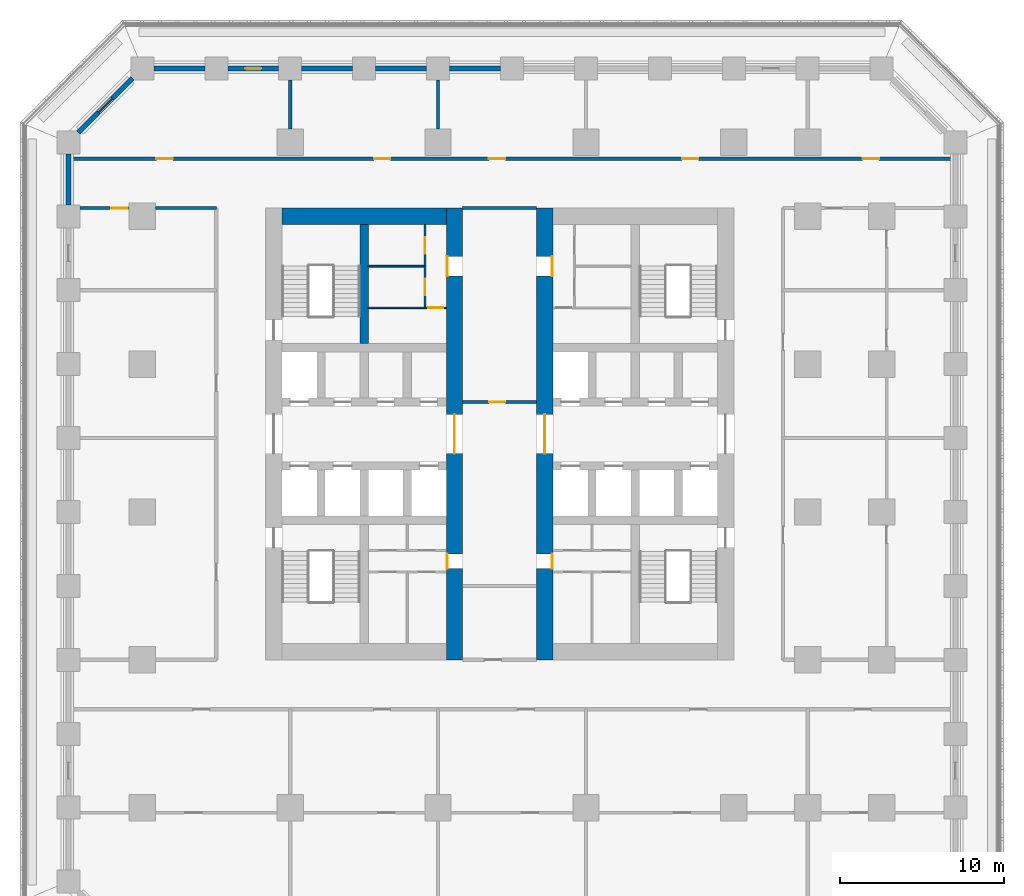
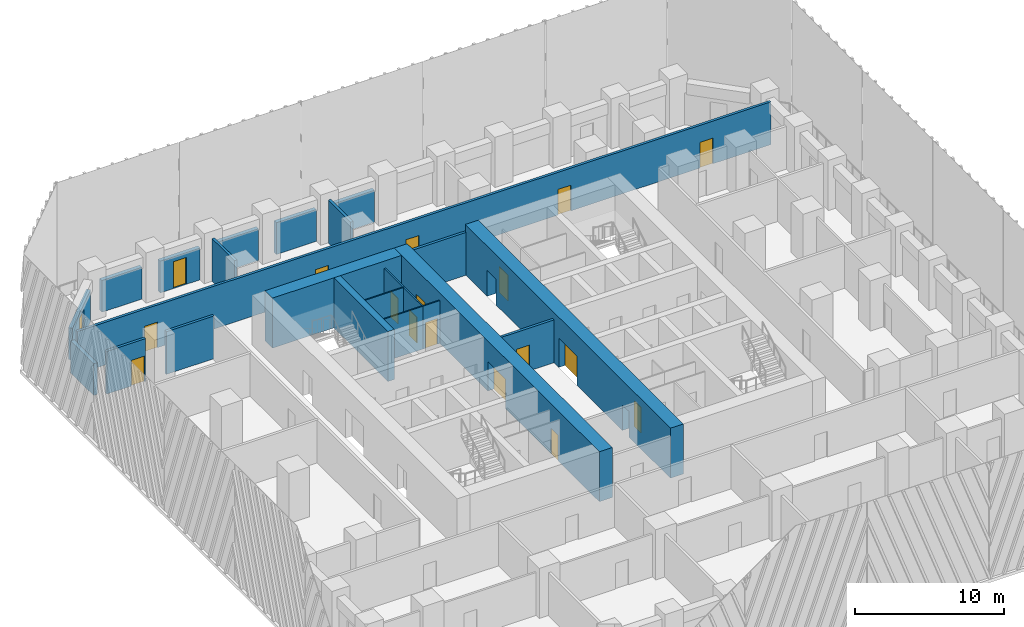
# One storey, part 5 of 13: 23 walls, 18 doors, 18 openings.
"""IFC4 building model written with IfcOpenShell, lengths in metres."""

from ifc_helpers import new_model, si_unit, direction, frame, frame_2d, origin, place, context, subcontext, project, spatial, rectangle, extrude, material, layer, layer_set, type_object, element, fill, save


model = new_model("IFC4")

# Units and contexts
model_context = context("Model", 3, precision=1e-05, world=origin(), true_north=direction((0.0, 1.0)))
body_context = subcontext(model_context, "Body", "Model", "MODEL_VIEW")
ifc_project = project(units=[si_unit("LENGTHUNIT", "METRE"), si_unit("AREAUNIT", "SQUARE_METRE"), si_unit("VOLUMEUNIT", "CUBIC_METRE"), si_unit("PLANEANGLEUNIT", "RADIAN"), si_unit("MASSUNIT", "GRAM", prefix="KILO")], contexts=[model_context])

# Site, building, storey
site_placement = place(None, origin())
site = spatial("IfcSite", under=ifc_project, at=site_placement, CompositionType="ELEMENT")
building_placement = place(site_placement, origin())
building = spatial("IfcBuilding", under=site, at=building_placement, Name="Corbel Stack Research Tower", CompositionType="ELEMENT")
storey_placement = place(building_placement, frame((0.0, 0.0, 66.5)))
storey = spatial("IfcBuildingStorey", under=building, at=storey_placement, Name="L15", CompositionType="ELEMENT", Elevation=66.5)

# Wall, openings, doors
ifc_material_1 = material(Name="Concrete C70/85", Category="concrete")
ifc_layer_1 = layer(ifc_material_1, 1.0)
ifc_layer_set_1 = layer_set([ifc_layer_1], Name="Concrete C70/85")
wall_type_1 = type_object("IfcWallType", Name="CW-1000-70", PredefinedType="SHEAR", material=ifc_layer_set_1)
wall_1_placement = place(storey_placement, frame((1.0, -9.0, 0.0), z_axis=(0.0, 0.0, 1.0), x_axis=(0.0, 1.0, 0.0)))
wall_1 = element("IfcWall", 1, at=wall_1_placement, inside=storey, type_object=wall_type_1, Name="West core wall, east face L15", PredefinedType="SHEAR", context=body_context, shape_type="SweptSolid", body=[
    extrude(rectangle(XDim=27.5, YDim=1.0, at=frame_2d((13.75, 0.0))), origin(), (0.0, 0.0, 1.0), 4.10009765625),
])
opening_1_placement = place(wall_1_placement, frame((12.550048828125, 0.0, 0.0)))
opening_1 = element("IfcOpeningElement", 2, at=opening_1_placement, cuts=wall_1, Name="Opening CD-W-E", PredefinedType="OPENING", context=body_context, shape_type="SweptSolid", body=[
    extrude(rectangle(XDim=2.39990234375, YDim=2.39990234375, at=frame_2d((1.199951171875, 1.199951171875))), frame((0.0, 0.510009765625, 0.0), z_axis=(0.0, -1.0, 0.0), x_axis=(1.0, 0.0, 0.0)), (0.0, 0.0, 1.0), 1.02001953125),
])
opening_2_placement = place(wall_1_placement, frame((5.550048828125, 0.0, 0.0)))
opening_2 = element("IfcOpeningElement", 3, at=opening_2_placement, cuts=wall_1, Name="Opening CR-W54-W1-905", PredefinedType="OPENING", context=body_context, shape_type="SweptSolid", body=[
    extrude(rectangle(XDim=0.905029296875, YDim=2.10009765625, at=frame_2d((0.45263671875, 1.050048828125))), frame((0.0, 0.510009765625, 0.0), z_axis=(0.0, -1.0, 0.0), x_axis=(1.0, 0.0, 0.0)), (0.0, 0.0, 1.0), 1.02001953125),
])
opening_3_placement = place(wall_1_placement, frame((23.362548828125, 0.0, 0.0)))
opening_3 = element("IfcOpeningElement", 4, at=opening_3_placement, cuts=wall_1, Name="Opening CR-W54-R2-1200", PredefinedType="OPENING", context=body_context, shape_type="SweptSolid", body=[
    extrude(rectangle(XDim=1.199951171875, YDim=2.10009765625, at=frame_2d((0.60009765625, 1.050048828125))), frame((0.0, 0.510009765625, 0.0), z_axis=(0.0, -1.0, 0.0), x_axis=(1.0, 0.0, 0.0)), (0.0, 0.0, 1.0), 1.02001953125),
])
ifc_material_2 = material(Name="Painted steel fire door", Category="steel")
door_type_1 = type_object("IfcDoorType", Name="Lobby door pair 2400 x 2400 FD30S", OperationType="DOUBLE_DOOR_DOUBLE_SWING", PredefinedType="DOOR", material=ifc_material_2)
door_1_placement = place(opening_1_placement, origin())
door_1 = element("IfcDoor", 5, at=door_1_placement, inside=storey, type_object=door_type_1, Name="Lift lobby door W core E", OperationType="DOUBLE_DOOR_DOUBLE_SWING", OverallHeight=2.39990234375, OverallWidth=2.39990234375, PredefinedType="DOOR", context=body_context, shape_type="SweptSolid", body=[
    extrude(rectangle(XDim=2.39990234375, YDim=2.39990234375, at=frame_2d((1.199951171875, 1.199951171875))), frame((0.0, 0.02490234375, 0.0), z_axis=(0.0, -1.0, 0.0), x_axis=(1.0, 0.0, 0.0)), (0.0, 0.0, 1.0), 0.050048828125),
])
fill(opening_1, door_1)
ifc_material_3 = material(Name="Painted steel door", Category="steel")
door_type_2 = type_object("IfcDoorType", Name="Service door 1200 x 2100 FD30 right hand", OperationType="SINGLE_SWING_RIGHT", PredefinedType="DOOR", material=ifc_material_3)
door_2_placement = place(opening_3_placement, origin())
door_2 = element("IfcDoor", 6, at=door_2_placement, inside=storey, type_object=door_type_2, Name="Service passage door W core", OperationType="SINGLE_SWING_RIGHT", OverallHeight=2.10009765625, OverallWidth=1.199951171875, PredefinedType="DOOR", context=body_context, shape_type="SweptSolid", body=[
    extrude(rectangle(XDim=1.199951171875, YDim=2.10009765625, at=frame_2d((0.60009765625, 1.050048828125))), frame((0.0, 0.47509765625, 0.0), z_axis=(0.0, -1.0, 0.0), x_axis=(1.0, 0.0, 0.0)), (0.0, 0.0, 1.0), 0.050048828125),
])
fill(opening_3, door_2)
ifc_material_4 = material(Name="Painted timber door", Category="wood")
door_type_3 = type_object("IfcDoorType", Name="WC door 905 x 2100 left hand", OperationType="SINGLE_SWING_LEFT", PredefinedType="DOOR", material=ifc_material_4)
door_3_placement = place(opening_2_placement, origin())
door_3 = element("IfcDoor", 7, at=door_3_placement, inside=storey, type_object=door_type_3, Name="WC lobby door W core", OperationType="SINGLE_SWING_LEFT", OverallHeight=2.10009765625, OverallWidth=0.905029296875, PredefinedType="DOOR", context=body_context, shape_type="SweptSolid", body=[
    extrude(rectangle(XDim=0.905029296875, YDim=2.10009765625, at=frame_2d((0.45263671875, 1.050048828125))), frame((0.0, 0.47509765625, 0.0), z_axis=(0.0, -1.0, 0.0), x_axis=(1.0, 0.0, 0.0)), (0.0, 0.0, 1.0), 0.050048828125),
])
fill(opening_2, door_3)

# Wall
wall_2_placement = place(storey_placement, frame((-9.5, 18.0, 0.0), z_axis=(0.0, 0.0, 1.0), x_axis=(1.0, 0.0, 0.0)))
element("IfcWall", 8, at=wall_2_placement, inside=storey, type_object=wall_type_1, Name="West core wall, north end L15", PredefinedType="SHEAR", context=body_context, shape_type="SweptSolid", body=[
    extrude(rectangle(XDim=10.0, YDim=1.0, at=frame_2d((5.0, 0.0))), origin(), (0.0, 0.0, 1.0), 4.10009765625),
])

# Wall, openings, doors
wall_3_placement = place(storey_placement, frame((6.5, -9.0, 0.0), z_axis=(0.0, 0.0, 1.0), x_axis=(0.0, 1.0, 0.0)))
wall_3 = element("IfcWall", 9, at=wall_3_placement, inside=storey, type_object=wall_type_1, Name="East core wall, west face L15", PredefinedType="SHEAR", context=body_context, shape_type="SweptSolid", body=[
    extrude(rectangle(XDim=27.5, YDim=1.0, at=frame_2d((13.75, 0.0))), origin(), (0.0, 0.0, 1.0), 4.10009765625),
])
opening_4_placement = place(wall_3_placement, frame((12.550048828125, 0.0, 0.0)))
opening_4 = element("IfcOpeningElement", 10, at=opening_4_placement, cuts=wall_3, Name="Opening CD-E-W", PredefinedType="OPENING", context=body_context, shape_type="SweptSolid", body=[
    extrude(rectangle(XDim=2.39990234375, YDim=2.39990234375, at=frame_2d((1.199951171875, 1.199951171875))), frame((0.0, 0.510009765625, 0.0), z_axis=(0.0, -1.0, 0.0), x_axis=(1.0, 0.0, 0.0)), (0.0, 0.0, 1.0), 1.02001953125),
])
opening_5_placement = place(wall_3_placement, frame((5.550048828125, 0.0, 0.0)))
opening_5 = element("IfcOpeningElement", 11, at=opening_5_placement, cuts=wall_3, Name="Opening CR-E54-W1-905", PredefinedType="OPENING", context=body_context, shape_type="SweptSolid", body=[
    extrude(rectangle(XDim=0.905029296875, YDim=2.10009765625, at=frame_2d((0.45263671875, 1.050048828125))), frame((0.0, 0.510009765625, 0.0), z_axis=(0.0, -1.0, 0.0), x_axis=(1.0, 0.0, 0.0)), (0.0, 0.0, 1.0), 1.02001953125),
])
opening_6_placement = place(wall_3_placement, frame((23.362548828125, 0.0, 0.0)))
opening_6 = element("IfcOpeningElement", 12, at=opening_6_placement, cuts=wall_3, Name="Opening CR-E54-R2-1200", PredefinedType="OPENING", context=body_context, shape_type="SweptSolid", body=[
    extrude(rectangle(XDim=1.199951171875, YDim=2.10009765625, at=frame_2d((0.60009765625, 1.050048828125))), frame((0.0, 0.510009765625, 0.0), z_axis=(0.0, -1.0, 0.0), x_axis=(1.0, 0.0, 0.0)), (0.0, 0.0, 1.0), 1.02001953125),
])
door_4_placement = place(opening_4_placement, origin())
door_4 = element("IfcDoor", 13, at=door_4_placement, inside=storey, type_object=door_type_1, Name="Lift lobby door E core W", OperationType="DOUBLE_DOOR_DOUBLE_SWING", OverallHeight=2.39990234375, OverallWidth=2.39990234375, PredefinedType="DOOR", context=body_context, shape_type="SweptSolid", body=[
    extrude(rectangle(XDim=2.39990234375, YDim=2.39990234375, at=frame_2d((1.199951171875, 1.199951171875))), frame((0.0, 0.02490234375, 0.0), z_axis=(0.0, -1.0, 0.0), x_axis=(1.0, 0.0, 0.0)), (0.0, 0.0, 1.0), 0.050048828125),
])
fill(opening_4, door_4)
ifc_material_5 = material(Name="Painted steel door", Category="steel")
door_type_4 = type_object("IfcDoorType", Name="Service door 1200 x 2100 FD30 left hand", OperationType="SINGLE_SWING_LEFT", PredefinedType="DOOR", material=ifc_material_5)
door_5_placement = place(opening_6_placement, origin())
door_5 = element("IfcDoor", 14, at=door_5_placement, inside=storey, type_object=door_type_4, Name="Service passage door E core", OperationType="SINGLE_SWING_LEFT", OverallHeight=2.10009765625, OverallWidth=1.199951171875, PredefinedType="DOOR", context=body_context, shape_type="SweptSolid", body=[
    extrude(rectangle(XDim=1.199951171875, YDim=2.10009765625, at=frame_2d((0.60009765625, 1.050048828125))), frame((0.0, -0.4248046875, 0.0), z_axis=(0.0, -1.0, 0.0), x_axis=(1.0, 0.0, 0.0)), (0.0, 0.0, 1.0), 0.050048828125),
])
fill(opening_6, door_5)
ifc_material_6 = material(Name="Painted timber door", Category="wood")
door_type_5 = type_object("IfcDoorType", Name="WC door 905 x 2100 right hand", OperationType="SINGLE_SWING_RIGHT", PredefinedType="DOOR", material=ifc_material_6)
door_6_placement = place(opening_5_placement, origin())
door_6 = element("IfcDoor", 15, at=door_6_placement, inside=storey, type_object=door_type_5, Name="WC lobby door E core", OperationType="SINGLE_SWING_RIGHT", OverallHeight=2.10009765625, OverallWidth=0.905029296875, PredefinedType="DOOR", context=body_context, shape_type="SweptSolid", body=[
    extrude(rectangle(XDim=0.905029296875, YDim=2.10009765625, at=frame_2d((0.45263671875, 1.050048828125))), frame((0.0, -0.4248046875, 0.0), z_axis=(0.0, -1.0, 0.0), x_axis=(1.0, 0.0, 0.0)), (0.0, 0.0, 1.0), 0.050048828125),
])
fill(opening_5, door_6)

# Wall
ifc_material_7 = material(Name="Concrete C70/85", Category="concrete")
ifc_layer_2 = layer(ifc_material_7, 0.5)
ifc_layer_set_2 = layer_set([ifc_layer_2], Name="Concrete C70/85")
wall_type_2 = type_object("IfcWallType", Name="CW-500-70", PredefinedType="SHEAR", material=ifc_layer_set_2)
wall_4_placement = place(storey_placement, frame((-4.5, 10.25, 0.0), z_axis=(0.0, 0.0, 1.0), x_axis=(0.0, 1.0, 0.0)))
element("IfcWall", 16, at=wall_4_placement, inside=storey, type_object=wall_type_2, Name="West core wall, north stair and riser L15", PredefinedType="SHEAR", context=body_context, shape_type="SweptSolid", body=[
    extrude(rectangle(XDim=7.25, YDim=0.5, at=frame_2d((3.625, 0.0))), origin(), (0.0, 0.0, 1.0), 4.10009765625),
])

# Wall, opening, door
ifc_material_8 = material(Name="Gypsum board")
ifc_layer_3 = layer(ifc_material_8, 0.10009765625)
ifc_layer_set_3 = layer_set([ifc_layer_3], Name="Gypsum board")
wall_type_3 = type_object("IfcWallType", Name="Core partition 100", PredefinedType="PARTITIONING", material=ifc_layer_set_3)
wall_5_placement = place(storey_placement, frame((-0.800048828125, 12.425048828125, 0.0), z_axis=(0.0, 0.0, 1.0), x_axis=(1.0, 0.0, 0.0)))
wall_5 = element("IfcWall", 17, at=wall_5_placement, inside=storey, type_object=wall_type_3, Name="Core partition W", PredefinedType="PARTITIONING", context=body_context, shape_type="SweptSolid", body=[
    extrude(rectangle(XDim=1.300048828125, YDim=0.10009765625, at=frame_2d((0.64990234375, 0.0))), origin(), (0.0, 0.0, 1.0), 3.5),
])
opening_7_placement = place(wall_5_placement, frame((0.199951171875, 0.0, 0.0)))
opening_7 = element("IfcOpeningElement", 18, at=opening_7_placement, cuts=wall_5, Name="Opening CR-W54-R1-900", PredefinedType="OPENING", context=body_context, shape_type="SweptSolid", body=[
    extrude(rectangle(XDim=0.89990234375, YDim=2.10009765625, at=frame_2d((0.449951171875, 1.050048828125))), frame((0.0, 0.06005859375, 0.0), z_axis=(0.0, -1.0, 0.0), x_axis=(1.0, 0.0, 0.0)), (0.0, 0.0, 1.0), 0.1201171875),
])
ifc_material_9 = material(Name="Painted steel door", Category="steel")
door_type_6 = type_object("IfcDoorType", Name="Riser door 900 x 2100 FD60 left hand", OperationType="SINGLE_SWING_LEFT", PredefinedType="DOOR", material=ifc_material_9)
door_7_placement = place(opening_7_placement, origin())
door_7 = element("IfcDoor", 19, at=door_7_placement, inside=storey, type_object=door_type_6, Name="Electrical riser door W core", OperationType="SINGLE_SWING_LEFT", OverallHeight=2.10009765625, OverallWidth=0.89990234375, PredefinedType="DOOR", context=body_context, shape_type="SweptSolid", body=[
    extrude(rectangle(XDim=0.89990234375, YDim=2.10009765625, at=frame_2d((0.449951171875, 1.050048828125))), frame((0.0, 0.02490234375, 0.0), z_axis=(0.0, -1.0, 0.0), x_axis=(1.0, 0.0, 0.0)), (0.0, 0.0, 1.0), 0.050048828125),
])
fill(opening_7, door_7)

# Wall
wall_6_placement = place(storey_placement, frame((-4.25, 12.425048828125, 0.0), z_axis=(0.0, 0.0, 1.0), x_axis=(1.0, 0.0, 0.0)))
element("IfcWall", 20, at=wall_6_placement, inside=storey, type_object=wall_type_3, Name="Core partition W", PredefinedType="PARTITIONING", context=body_context, shape_type="SweptSolid", body=[
    extrude(rectangle(XDim=3.449951171875, YDim=0.10009765625, at=frame_2d((1.72509765625, 0.0))), origin(), (0.0, 0.0, 1.0), 3.5),
])

# Wall, opening, door
wall_7_placement = place(storey_placement, frame((-0.800048828125, 12.425048828125, 0.0), z_axis=(0.0, 0.0, 1.0), x_axis=(0.0, 1.0, 0.0)))
wall_7 = element("IfcWall", 21, at=wall_7_placement, inside=storey, type_object=wall_type_3, Name="Core partition W", PredefinedType="PARTITIONING", context=body_context, shape_type="SweptSolid", body=[
    extrude(rectangle(XDim=2.537353515625, YDim=0.10009765625, at=frame_2d((1.2685546875, 0.0))), origin(), (0.0, 0.0, 1.0), 3.5),
])
opening_8_placement = place(wall_7_placement, frame((0.768798828125, 0.0, 0.0)))
opening_8 = element("IfcOpeningElement", 22, at=opening_8_placement, cuts=wall_7, Name="Opening CR-W54-R3-1000", PredefinedType="OPENING", context=body_context, shape_type="SweptSolid", body=[
    extrude(rectangle(XDim=1.0, YDim=2.10009765625, at=frame_2d((0.5, 1.050048828125))), frame((0.0, 0.06005859375, 0.0), z_axis=(0.0, -1.0, 0.0), x_axis=(1.0, 0.0, 0.0)), (0.0, 0.0, 1.0), 0.1201171875),
])
ifc_material_10 = material(Name="Painted steel door", Category="steel")
door_type_7 = type_object("IfcDoorType", Name="Service door 1000 x 2100 FD30 left hand", OperationType="SINGLE_SWING_LEFT", PredefinedType="DOOR", material=ifc_material_10)
door_8_placement = place(opening_8_placement, origin())
door_8 = element("IfcDoor", 23, at=door_8_placement, inside=storey, type_object=door_type_7, Name="Pantry door W core", OperationType="SINGLE_SWING_LEFT", OverallHeight=2.10009765625, OverallWidth=1.0, PredefinedType="DOOR", context=body_context, shape_type="SweptSolid", body=[
    extrude(rectangle(XDim=1.0, YDim=2.10009765625, at=frame_2d((0.5, 1.050048828125))), frame((0.0, 0.02490234375, 0.0), z_axis=(0.0, -1.0, 0.0), x_axis=(1.0, 0.0, 0.0)), (0.0, 0.0, 1.0), 0.050048828125),
])
fill(opening_8, door_8)

wall_8_placement = place(storey_placement, frame((-0.800048828125, 14.96240234375, 0.0), z_axis=(0.0, 0.0, 1.0), x_axis=(0.0, 1.0, 0.0)))
wall_8 = element("IfcWall", 24, at=wall_8_placement, inside=storey, type_object=wall_type_3, Name="Core partition W", PredefinedType="PARTITIONING", context=body_context, shape_type="SweptSolid", body=[
    extrude(rectangle(XDim=2.53759765625, YDim=0.10009765625, at=frame_2d((1.268798828125, 0.0))), origin(), (0.0, 0.0, 1.0), 3.5),
])
opening_9_placement = place(wall_8_placement, frame((0.768798828125, 0.0, 0.0)))
opening_9 = element("IfcOpeningElement", 25, at=opening_9_placement, cuts=wall_8, Name="Opening CR-W54-R4-1000", PredefinedType="OPENING", context=body_context, shape_type="SweptSolid", body=[
    extrude(rectangle(XDim=1.0, YDim=2.10009765625, at=frame_2d((0.5, 1.050048828125))), frame((0.0, 0.06005859375, 0.0), z_axis=(0.0, -1.0, 0.0), x_axis=(1.0, 0.0, 0.0)), (0.0, 0.0, 1.0), 0.1201171875),
])
ifc_material_11 = material(Name="Painted steel door", Category="steel")
door_type_8 = type_object("IfcDoorType", Name="Service door 1000 x 2100 FD30 right hand", OperationType="SINGLE_SWING_RIGHT", PredefinedType="DOOR", material=ifc_material_11)
door_9_placement = place(opening_9_placement, origin())
door_9 = element("IfcDoor", 26, at=door_9_placement, inside=storey, type_object=door_type_8, Name="Copy and supply store door W core", OperationType="SINGLE_SWING_RIGHT", OverallHeight=2.10009765625, OverallWidth=1.0, PredefinedType="DOOR", context=body_context, shape_type="SweptSolid", body=[
    extrude(rectangle(XDim=1.0, YDim=2.10009765625, at=frame_2d((0.5, 1.050048828125))), frame((0.0, 0.02490234375, 0.0), z_axis=(0.0, -1.0, 0.0), x_axis=(1.0, 0.0, 0.0)), (0.0, 0.0, 1.0), 0.050048828125),
])
fill(opening_9, door_9)

# Walls
wall_9_placement = place(storey_placement, frame((-4.25, 14.96240234375, 0.0), z_axis=(0.0, 0.0, 1.0), x_axis=(1.0, 0.0, 0.0)))
element("IfcWall", 27, at=wall_9_placement, inside=storey, type_object=wall_type_3, Name="Core partition W", PredefinedType="PARTITIONING", context=body_context, shape_type="SweptSolid", body=[
    extrude(rectangle(XDim=3.449951171875, YDim=0.10009765625, at=frame_2d((1.72509765625, 0.0))), origin(), (0.0, 0.0, 1.0), 3.5),
])
ifc_material_12 = material(Name="Fire-rated gypsum board partition on steel studs", Category="steel")
ifc_layer_4 = layer(ifc_material_12, 0.199951171875)
ifc_layer_set_4 = layer_set([ifc_layer_4], Name="Fire-rated gypsum board partition on steel studs")
wall_type_4 = type_object("IfcWallType", Name="Fire-rated partition 200 EI 60", PredefinedType="PARTITIONING", material=ifc_layer_set_4)
for number, where, z_axis, x_axis, name in (
    (28, (-9.0, 23.300048828125, 0.0), (0.0, 0.0, 1.0), (0.0, 1.0, 0.0), "Partition L15-004"),
    (29, (0.0, 23.300048828125, 0.0), (0.0, 0.0, 1.0), (0.0, 1.0, 0.0), "Partition L15-007"),
):
    element("IfcWall", number, at=place(storey_placement, frame(where, z_axis=z_axis, x_axis=x_axis)), inside=storey, type_object=wall_type_4, Name=name, PredefinedType="PARTITIONING", context=body_context, shape_type="SweptSolid", body=[
        extrude(rectangle(XDim=3.0, YDim=0.199951171875, at=frame_2d((1.5, 0.0))), origin(), (0.0, 0.0, 1.0), 3.5),
    ])

# Wall, opening, door
wall_10_placement = place(storey_placement, frame((1.5, 6.699951171875, 0.0), z_axis=(0.0, 0.0, 1.0), x_axis=(1.0, 0.0, 0.0)))
wall_10 = element("IfcWall", 30, at=wall_10_placement, inside=storey, type_object=wall_type_4, Name="Partition L15-036", PredefinedType="PARTITIONING", context=body_context, shape_type="SweptSolid", body=[
    extrude(rectangle(XDim=4.5, YDim=0.199951171875, at=frame_2d((2.25, 0.0))), origin(), (0.0, 0.0, 1.0), 3.5),
])
opening_10_placement = place(wall_10_placement, frame((1.60009765625, 0.0, 0.0)))
opening_10 = element("IfcOpeningElement", 31, at=opening_10_placement, cuts=wall_10, Name="Opening B2V2-014", PredefinedType="OPENING", context=body_context, shape_type="SweptSolid", body=[
    extrude(rectangle(XDim=1.0, YDim=2.10009765625, at=frame_2d((0.5, 1.050048828125))), frame((0.0, 0.10986328125, 0.0), z_axis=(0.0, -1.0, 0.0), x_axis=(1.0, 0.0, 0.0)), (0.0, 0.0, 1.0), 0.219970703125),
])
ifc_material_13 = material(Name="Painted steel fire door", Category="steel")
door_type_9 = type_object("IfcDoorType", Name="Fire door FD30S 1000 x 2100", OperationType="NOTDEFINED", PredefinedType="DOOR", material=ifc_material_13)
door_10_placement = place(opening_10_placement, origin())
door_10 = element("IfcDoor", 32, at=door_10_placement, inside=storey, type_object=door_type_9, Name="Door B2V2-014", OperationType="SINGLE_SWING_LEFT", OverallHeight=2.10009765625, OverallWidth=1.0, PredefinedType="DOOR", context=body_context, shape_type="SweptSolid", body=[
    extrude(rectangle(XDim=1.0, YDim=2.10009765625, at=frame_2d((0.5, 1.050048828125))), frame((0.0, 0.02490234375, 0.0), z_axis=(0.0, -1.0, 0.0), x_axis=(1.0, 0.0, 0.0)), (0.0, 0.0, 1.0), 0.050048828125),
])
fill(opening_10, door_10)

wall_11_placement = place(storey_placement, frame((-18.800048828125, 18.5, 0.0), z_axis=(0.0, 0.0, 1.0), x_axis=(-1.0, 0.0, 0.0)))
wall_11 = element("IfcWall", 33, at=wall_11_placement, inside=storey, type_object=wall_type_4, Name="Partition L15-039", PredefinedType="PARTITIONING", context=body_context, shape_type="SweptSolid", body=[
    extrude(rectangle(XDim=3.0, YDim=0.199951171875, at=frame_2d((1.5, 0.0))), origin(), (0.0, 0.0, 1.0), 3.5),
])
opening_11_placement = place(wall_11_placement, frame((0.10009765625, 0.0, 0.0)))
opening_11 = element("IfcOpeningElement", 34, at=opening_11_placement, cuts=wall_11, Name="Opening B2V2-015", PredefinedType="OPENING", context=body_context, shape_type="SweptSolid", body=[
    extrude(rectangle(XDim=1.0, YDim=2.10009765625, at=frame_2d((0.5, 1.050048828125))), frame((0.0, 0.10986328125, 0.0), z_axis=(0.0, -1.0, 0.0), x_axis=(1.0, 0.0, 0.0)), (0.0, 0.0, 1.0), 0.219970703125),
])
door_11_placement = place(opening_11_placement, origin())
door_11 = element("IfcDoor", 35, at=door_11_placement, inside=storey, type_object=door_type_9, Name="Door B2V2-015", OperationType="SINGLE_SWING_LEFT", OverallHeight=2.10009765625, OverallWidth=1.0, PredefinedType="DOOR", context=body_context, shape_type="SweptSolid", body=[
    extrude(rectangle(XDim=1.0, YDim=2.10009765625, at=frame_2d((0.5, 1.050048828125))), frame((0.0, 0.02490234375, 0.0), z_axis=(0.0, -1.0, 0.0), x_axis=(1.0, 0.0, 0.0)), (0.0, 0.0, 1.0), 0.050048828125),
])
fill(opening_11, door_11)

# Walls
wall_12_placement = place(storey_placement, frame((-17.199951171875, 18.5, 0.0), z_axis=(0.0, 0.0, 1.0), x_axis=(1.0, 0.0, 0.0)))
element("IfcWall", 36, at=wall_12_placement, inside=storey, type_object=wall_type_4, Name="Partition L15-040", PredefinedType="PARTITIONING", context=body_context, shape_type="SweptSolid", body=[
    extrude(rectangle(XDim=3.699951171875, YDim=0.199951171875, at=frame_2d((1.85009765625, 0.0))), origin(), (0.0, 0.0, 1.0), 3.5),
])
wall_13_placement = place(storey_placement, frame((1.5, 18.5, 0.0), z_axis=(0.0, 0.0, 1.0), x_axis=(1.0, 0.0, 0.0)))
element("IfcWall", 37, at=wall_13_placement, inside=storey, type_object=wall_type_4, Name="Partition L15-041", PredefinedType="PARTITIONING", context=body_context, shape_type="SweptSolid", body=[
    extrude(rectangle(XDim=4.5, YDim=0.199951171875, at=frame_2d((2.25, 0.0))), origin(), (0.0, 0.0, 1.0), 3.5),
])

# Wall, openings, doors
wall_14_placement = place(storey_placement, frame((-22.35009765625, 21.5, 0.0), z_axis=(0.0, 0.0, 1.0), x_axis=(1.0, 0.0, 0.0)))
wall_14 = element("IfcWall", 38, at=wall_14_placement, inside=storey, type_object=wall_type_4, Name="Partition L15-045", PredefinedType="PARTITIONING", context=body_context, shape_type="SweptSolid", body=[
    extrude(rectangle(XDim=53.7001953125, YDim=0.199951171875, at=frame_2d((26.85009765625, 0.0))), origin(), (0.0, 0.0, 1.0), 3.5),
])
opening_12_placement = place(wall_14_placement, frame((5.199951171875, 0.0, 0.0)))
opening_12 = element("IfcOpeningElement", 39, at=opening_12_placement, cuts=wall_14, Name="Opening B2V2-019", PredefinedType="OPENING", context=body_context, shape_type="SweptSolid", body=[
    extrude(rectangle(XDim=1.0, YDim=2.10009765625, at=frame_2d((0.5, 1.050048828125))), frame((0.0, 0.10986328125, 0.0), z_axis=(0.0, -1.0, 0.0), x_axis=(1.0, 0.0, 0.0)), (0.0, 0.0, 1.0), 0.219970703125),
])
opening_13_placement = place(wall_14_placement, frame((18.449951171875, 0.0, 0.0)))
opening_13 = element("IfcOpeningElement", 40, at=opening_13_placement, cuts=wall_14, Name="Opening B2V2-020", PredefinedType="OPENING", context=body_context, shape_type="SweptSolid", body=[
    extrude(rectangle(XDim=1.0, YDim=2.10009765625, at=frame_2d((0.5, 1.050048828125))), frame((0.0, 0.10986328125, 0.0), z_axis=(0.0, -1.0, 0.0), x_axis=(1.0, 0.0, 0.0)), (0.0, 0.0, 1.0), 0.219970703125),
])
opening_14_placement = place(wall_14_placement, frame((25.449951171875, 0.0, 0.0)))
opening_14 = element("IfcOpeningElement", 41, at=opening_14_placement, cuts=wall_14, Name="Opening B2V2-021", PredefinedType="OPENING", context=body_context, shape_type="SweptSolid", body=[
    extrude(rectangle(XDim=1.0, YDim=2.10009765625, at=frame_2d((0.5, 1.050048828125))), frame((0.0, 0.10986328125, 0.0), z_axis=(0.0, -1.0, 0.0), x_axis=(1.0, 0.0, 0.0)), (0.0, 0.0, 1.0), 0.219970703125),
])
opening_15_placement = place(wall_14_placement, frame((37.199951171875, 0.0, 0.0)))
opening_15 = element("IfcOpeningElement", 42, at=opening_15_placement, cuts=wall_14, Name="Opening B2V2-022", PredefinedType="OPENING", context=body_context, shape_type="SweptSolid", body=[
    extrude(rectangle(XDim=1.0, YDim=2.10009765625, at=frame_2d((0.5, 1.050048828125))), frame((0.0, 0.10986328125, 0.0), z_axis=(0.0, -1.0, 0.0), x_axis=(1.0, 0.0, 0.0)), (0.0, 0.0, 1.0), 0.219970703125),
])
opening_16_placement = place(wall_14_placement, frame((48.199951171875, 0.0, 0.0)))
opening_16 = element("IfcOpeningElement", 43, at=opening_16_placement, cuts=wall_14, Name="Opening B2V2-023", PredefinedType="OPENING", context=body_context, shape_type="SweptSolid", body=[
    extrude(rectangle(XDim=1.0, YDim=2.10009765625, at=frame_2d((0.5, 1.050048828125))), frame((0.0, 0.10986328125, 0.0), z_axis=(0.0, -1.0, 0.0), x_axis=(1.0, 0.0, 0.0)), (0.0, 0.0, 1.0), 0.219970703125),
])
door_12_placement = place(opening_12_placement, origin())
door_12 = element("IfcDoor", 44, at=door_12_placement, inside=storey, type_object=door_type_9, Name="Door B2V2-019", OperationType="SINGLE_SWING_LEFT", OverallHeight=2.10009765625, OverallWidth=1.0, PredefinedType="DOOR", context=body_context, shape_type="SweptSolid", body=[
    extrude(rectangle(XDim=1.0, YDim=2.10009765625, at=frame_2d((0.5, 1.050048828125))), frame((0.0, 0.02490234375, 0.0), z_axis=(0.0, -1.0, 0.0), x_axis=(1.0, 0.0, 0.0)), (0.0, 0.0, 1.0), 0.050048828125),
])
fill(opening_12, door_12)
door_13_placement = place(opening_13_placement, origin())
door_13 = element("IfcDoor", 45, at=door_13_placement, inside=storey, type_object=door_type_9, Name="Door B2V2-020", OperationType="SINGLE_SWING_LEFT", OverallHeight=2.10009765625, OverallWidth=1.0, PredefinedType="DOOR", context=body_context, shape_type="SweptSolid", body=[
    extrude(rectangle(XDim=1.0, YDim=2.10009765625, at=frame_2d((0.5, 1.050048828125))), frame((0.0, 0.02490234375, 0.0), z_axis=(0.0, -1.0, 0.0), x_axis=(1.0, 0.0, 0.0)), (0.0, 0.0, 1.0), 0.050048828125),
])
fill(opening_13, door_13)
door_14_placement = place(opening_14_placement, origin())
door_14 = element("IfcDoor", 46, at=door_14_placement, inside=storey, type_object=door_type_9, Name="Door B2V2-021", OperationType="SINGLE_SWING_LEFT", OverallHeight=2.10009765625, OverallWidth=1.0, PredefinedType="DOOR", context=body_context, shape_type="SweptSolid", body=[
    extrude(rectangle(XDim=1.0, YDim=2.10009765625, at=frame_2d((0.5, 1.050048828125))), frame((0.0, 0.02490234375, 0.0), z_axis=(0.0, -1.0, 0.0), x_axis=(1.0, 0.0, 0.0)), (0.0, 0.0, 1.0), 0.050048828125),
])
fill(opening_14, door_14)
door_15_placement = place(opening_15_placement, origin())
door_15 = element("IfcDoor", 47, at=door_15_placement, inside=storey, type_object=door_type_9, Name="Door B2V2-022", OperationType="SINGLE_SWING_RIGHT", OverallHeight=2.10009765625, OverallWidth=1.0, PredefinedType="DOOR", context=body_context, shape_type="SweptSolid", body=[
    extrude(rectangle(XDim=1.0, YDim=2.10009765625, at=frame_2d((0.5, 1.050048828125))), frame((0.0, 0.02490234375, 0.0), z_axis=(0.0, -1.0, 0.0), x_axis=(1.0, 0.0, 0.0)), (0.0, 0.0, 1.0), 0.050048828125),
])
fill(opening_15, door_15)
door_16_placement = place(opening_16_placement, origin())
door_16 = element("IfcDoor", 48, at=door_16_placement, inside=storey, type_object=door_type_9, Name="Door B2V2-023", OperationType="SINGLE_SWING_RIGHT", OverallHeight=2.10009765625, OverallWidth=1.0, PredefinedType="DOOR", context=body_context, shape_type="SweptSolid", body=[
    extrude(rectangle(XDim=1.0, YDim=2.10009765625, at=frame_2d((0.5, 1.050048828125))), frame((0.0, 0.02490234375, 0.0), z_axis=(0.0, -1.0, 0.0), x_axis=(1.0, 0.0, 0.0)), (0.0, 0.0, 1.0), 0.050048828125),
])
fill(opening_16, door_16)

# Walls
ifc_material_14 = material(Name="Concrete C45/55", Category="concrete")
ifc_layer_5 = layer(ifc_material_14, 0.300048828125)
ifc_layer_set_5 = layer_set([ifc_layer_5], Name="Concrete C45/55")
wall_type_5 = type_object("IfcWallType", Name="Terracotta-faced concrete wall 300", PredefinedType="SOLIDWALL", material=ifc_layer_set_5)
for number, where, z_axis, x_axis, name in (
    (49, (0.699951171875, 27.0, 0.0), (0.0, 0.0, 1.0), (1.0, 0.0, 0.0), "Facade wall L15 N06"),
    (50, (-3.800048828125, 27.0, 0.0), (0.0, 0.0, 1.0), (1.0, 0.0, 0.0), "Facade wall L15 N07"),
    (51, (-8.300048828125, 27.0, 0.0), (0.0, 0.0, 1.0), (1.0, 0.0, 0.0), "Facade wall L15 N08"),
):
    element("IfcWall", number, at=place(storey_placement, frame(where, z_axis=z_axis, x_axis=x_axis)), inside=storey, type_object=wall_type_5, Name=name, PredefinedType="SOLIDWALL", context=body_context, shape_type="SweptSolid", body=[
        extrude(rectangle(XDim=3.10009765625, YDim=0.300048828125, at=frame_2d((1.550048828125, 0.0))), origin(), (0.0, 0.0, 1.0), 2.60009765625),
    ])

# Wall, opening, door
wall_15_placement = place(storey_placement, frame((-12.800048828125, 27.0, 0.0), z_axis=(0.0, 0.0, 1.0), x_axis=(1.0, 0.0, 0.0)))
wall_15 = element("IfcWall", 52, at=wall_15_placement, inside=storey, type_object=wall_type_5, Name="Facade wall L15 N09", PredefinedType="SOLIDWALL", context=body_context, shape_type="SweptSolid", body=[
    extrude(rectangle(XDim=3.10009765625, YDim=0.300048828125, at=frame_2d((1.550048828125, 0.0))), origin(), (0.0, 0.0, 1.0), 2.60009765625),
])
opening_17_placement = place(wall_15_placement, frame((1.050048828125, 0.0, 0.0)))
opening_17 = element("IfcOpeningElement", 53, at=opening_17_placement, cuts=wall_15, Name="Opening L15-B08", PredefinedType="OPENING", context=body_context, shape_type="SweptSolid", body=[
    extrude(rectangle(XDim=1.0, YDim=2.199951171875, at=frame_2d((0.5, 1.10009765625))), frame((0.0, 0.159912109375, 0.0), z_axis=(0.0, -1.0, 0.0), x_axis=(1.0, 0.0, 0.0)), (0.0, 0.0, 1.0), 0.320068359375),
])
ifc_material_15 = material(Name="Aluminium frame, clear double glazing", Category="aluminium")
door_type_10 = type_object("IfcDoorType", Name="Balcony door BD1 1000 x 2200", OperationType="NOTDEFINED", PredefinedType="DOOR", material=ifc_material_15)
door_17_placement = place(opening_17_placement, origin())
door_17 = element("IfcDoor", 54, at=door_17_placement, inside=storey, type_object=door_type_10, Name="Balcony door L15-B08", OperationType="SINGLE_SWING_RIGHT", OverallHeight=2.199951171875, OverallWidth=1.0, PredefinedType="DOOR", context=body_context, shape_type="SweptSolid", body=[
    extrude(rectangle(XDim=1.0, YDim=2.199951171875, at=frame_2d((0.5, 1.10009765625))), frame((0.0, 0.02490234375, 0.0), z_axis=(0.0, -1.0, 0.0), x_axis=(1.0, 0.0, 0.0)), (0.0, 0.0, 1.0), 0.050048828125),
])
fill(opening_17, door_17)

# Wall
wall_16_placement = place(storey_placement, frame((-17.300048828125, 27.0, 0.0), z_axis=(0.0, 0.0, 1.0), x_axis=(1.0, 0.0, 0.0)))
element("IfcWall", 55, at=wall_16_placement, inside=storey, type_object=wall_type_5, Name="Facade wall L15 N10", PredefinedType="SOLIDWALL", context=body_context, shape_type="SweptSolid", body=[
    extrude(rectangle(XDim=3.10009765625, YDim=0.300048828125, at=frame_2d((1.550048828125, 0.0))), origin(), (0.0, 0.0, 1.0), 2.60009765625),
])

# Wall, opening, door
wall_17_placement = place(storey_placement, frame((-21.906005859375, 23.093994140625, 0.0), z_axis=(0.0, 0.0, 1.0), x_axis=(0.707106781187, 0.707106781187, 0.0)))
wall_17 = element("IfcWall", 56, at=wall_17_placement, inside=storey, type_object=wall_type_5, Name="Facade wall L15 NW01", PredefinedType="SOLIDWALL", context=body_context, shape_type="SweptSolid", body=[
    extrude(rectangle(XDim=4.683837890625, YDim=0.300048828125, at=frame_2d((2.341796875, 0.0))), origin(), (0.0, 0.0, 1.0), 2.60009765625),
])
opening_18_placement = place(wall_17_placement, frame((1.741943359375, 0.0, 0.0)))
opening_18 = element("IfcOpeningElement", 57, at=opening_18_placement, cuts=wall_17, Name="Opening L15-B09", PredefinedType="OPENING", context=body_context, shape_type="SweptSolid", body=[
    extrude(rectangle(XDim=1.199951171875, YDim=2.199951171875, at=frame_2d((0.60009765625, 1.10009765625))), frame((0.0, 0.159912109375, 0.0), z_axis=(0.0, -1.0, 0.0), x_axis=(1.0, 0.0, 0.0)), (0.0, 0.0, 1.0), 0.320068359375),
])
ifc_material_16 = material(Name="Aluminium frame, clear double glazing", Category="aluminium")
door_type_11 = type_object("IfcDoorType", Name="Balcony door BD2 1200 x 2200", OperationType="NOTDEFINED", PredefinedType="DOOR", material=ifc_material_16)
door_18_placement = place(opening_18_placement, origin())
door_18 = element("IfcDoor", 58, at=door_18_placement, inside=storey, type_object=door_type_11, Name="Balcony door L15-B09", OperationType="SINGLE_SWING_RIGHT", OverallHeight=2.199951171875, OverallWidth=1.199951171875, PredefinedType="DOOR", context=body_context, shape_type="SweptSolid", body=[
    extrude(rectangle(XDim=1.199951171875, YDim=2.199951171875, at=frame_2d((0.60009765625, 1.10009765625))), frame((0.0, 0.02490234375, 0.0), z_axis=(0.0, -1.0, 0.0), x_axis=(1.0, 0.0, 0.0)), (0.0, 0.0, 1.0), 0.050048828125),
])
fill(opening_18, door_18)

# Wall
wall_18_placement = place(storey_placement, frame((-22.5, 18.699951171875, 0.0), z_axis=(0.0, 0.0, 1.0), x_axis=(0.0, 1.0, 0.0)))
element("IfcWall", 59, at=wall_18_placement, inside=storey, type_object=wall_type_5, Name="Facade wall L15 W01", PredefinedType="SOLIDWALL", context=body_context, shape_type="SweptSolid", body=[
    extrude(rectangle(XDim=3.10009765625, YDim=0.300048828125, at=frame_2d((1.550048828125, 0.0))), origin(), (0.0, 0.0, 1.0), 2.60009765625),
])

save(model, "model.ifc")
